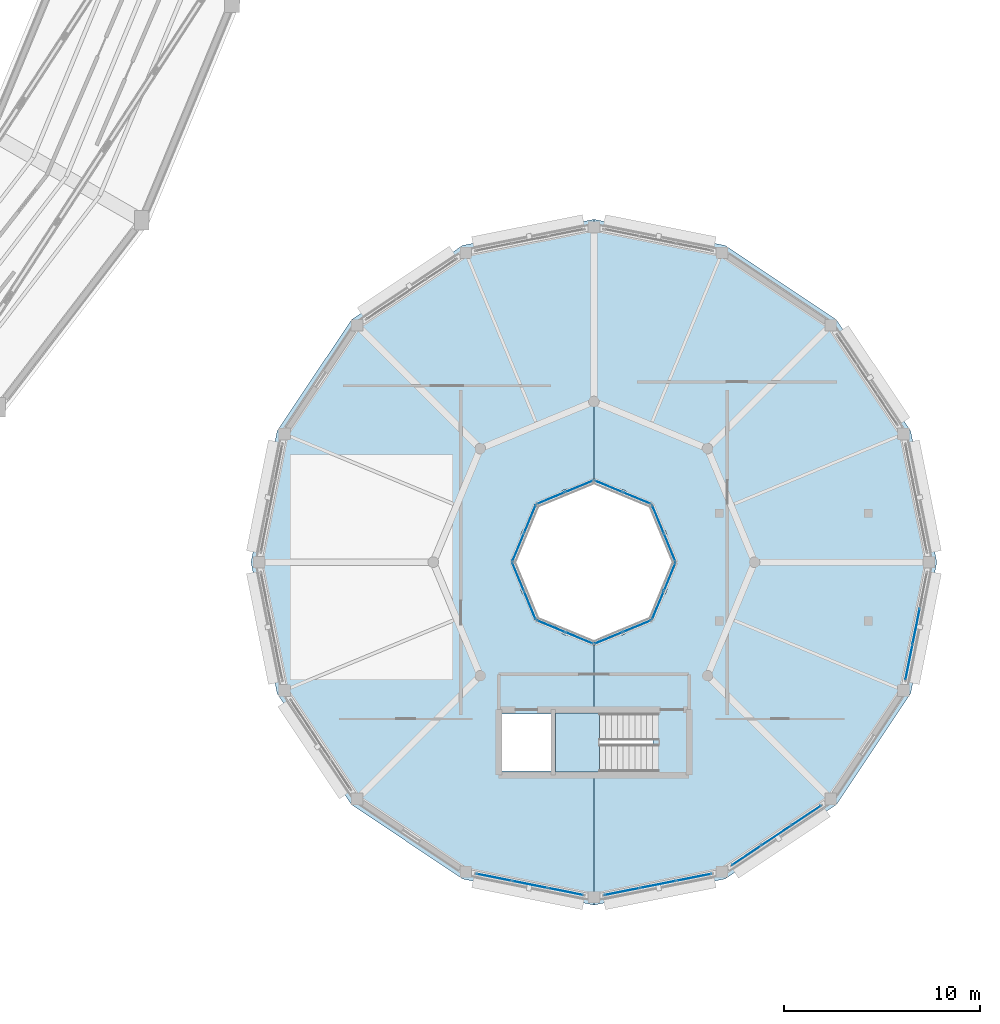
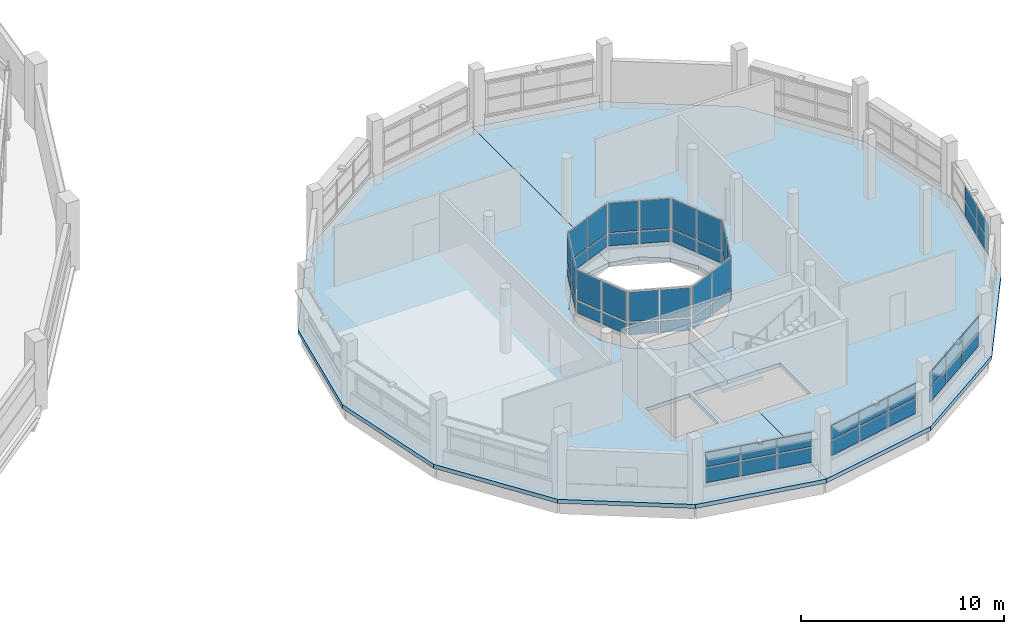
# One storey, part 94 of 121: 54 plates, 3 slabs, 13 elements without a shape of their own.
"""IFC4 building model written with IfcOpenShell, lengths in metres."""

from ifc_helpers import new_model, si_unit, direction, frame, origin, origin_2d, place, context, subcontext, project, spatial, polyline, rectangle, outline, extrude, material, layer, layer_set, type_object, element, aggregate, save


model = new_model("IFC4")

# Units and contexts
model_context = context("Model", 3, precision=1e-05, world=origin(), true_north=direction((0.0, 1.0)))
body_context = subcontext(model_context, "Body", "Model", "MODEL_VIEW")
ifc_project = project(units=[si_unit("LENGTHUNIT", "METRE"), si_unit("AREAUNIT", "SQUARE_METRE"), si_unit("VOLUMEUNIT", "CUBIC_METRE"), si_unit("PLANEANGLEUNIT", "RADIAN"), si_unit("MASSUNIT", "GRAM", prefix="KILO")], contexts=[model_context])

# Site, building, storey
site_placement = place(None, origin())
site = spatial("IfcSite", under=ifc_project, at=site_placement, CompositionType="ELEMENT")
building_placement = place(site_placement, origin())
building = spatial("IfcBuilding", under=site, at=building_placement, Name="Vespera Passage Community Centre", CompositionType="ELEMENT")
storey_placement = place(building_placement, frame((0.0, 0.0, 8.699951171875)))
storey = spatial("IfcBuildingStorey", under=building, at=storey_placement, Name="L02", CompositionType="ELEMENT", Elevation=8.699951171875)

# Curtain wall, plates
ifc_material_1 = material(Name="Anodized aluminium 6063-T6", Category="aluminium")
ifc_layer_1 = layer(ifc_material_1, 0.159912109375)
ifc_layer_set_1 = layer_set([ifc_layer_1], Name="Anodized aluminium 6063-T6")
curtain_wall_type_1 = type_object("IfcCurtainWallType", Name="CW-108E", PredefinedType="NOTDEFINED", material=ifc_layer_set_1)
curtain_wall_1_placement = place(storey_placement, origin())
curtain_wall_1 = element("IfcCurtainWall", 1, at=curtain_wall_1_placement, inside=storey, type_object=curtain_wall_type_1, Name="Dining Drum Ribbon Curtain Wall L02.12", PredefinedType="NOTDEFINED")
ifc_material_2 = material(Name="Low-E insulated vision glass", Category="glass")
ifc_layer_2 = layer(ifc_material_2, 0.02001953125)
ifc_layer_set_2 = layer_set([ifc_layer_2], Name="Low-E insulated vision glass")
plate_type = type_object("IfcPlateType", Name="PL-CWP-20E", PredefinedType="CURTAIN_PANEL", material=ifc_layer_set_2)
plate_1_placement = place(storey_placement, frame((139.5625, 8.18603515625, 0.900146484375), z_axis=(0.0, 0.0, 1.0), x_axis=(-0.980783996069, 0.195096778691, 0.0)))
plate_1 = element("IfcPlate", 2, at=plate_1_placement, type_object=plate_type, Name="CW-108E panel 1.1", PredefinedType="CURTAIN_PANEL", context=body_context, shape_type="SweptSolid", body=[
    extrude(rectangle(XDim=1.789306640625, YDim=0.02001953125, at=origin_2d()), origin(), (0.0, 0.0, 1.0), 0.857421875),
])
plate_2_placement = place(storey_placement, frame((139.5625, 8.18603515625, 1.857666015625), z_axis=(0.0, 0.0, 1.0), x_axis=(-0.980783996069, 0.195096778691, 0.0)))
plate_2 = element("IfcPlate", 3, at=plate_2_placement, type_object=plate_type, Name="CW-108E panel 1.2", PredefinedType="CURTAIN_PANEL", context=body_context, shape_type="SweptSolid", body=[
    extrude(rectangle(XDim=1.789306640625, YDim=0.02001953125, at=origin_2d()), origin(), (0.0, 0.0, 1.0), 0.857421875),
])
plate_3_placement = place(storey_placement, frame((137.72802734375, 8.55078125, 0.900146484375), z_axis=(0.0, 0.0, 1.0), x_axis=(-0.980783996069, 0.195096778691, 0.0)))
plate_3 = element("IfcPlate", 4, at=plate_3_placement, type_object=plate_type, Name="CW-108E panel 2.1", PredefinedType="CURTAIN_PANEL", context=body_context, shape_type="SweptSolid", body=[
    extrude(rectangle(XDim=1.82177734375, YDim=0.02001953125, at=origin_2d()), origin(), (0.0, 0.0, 1.0), 0.857421875),
])
plate_4_placement = place(storey_placement, frame((137.72802734375, 8.55078125, 1.857666015625), z_axis=(0.0, 0.0, 1.0), x_axis=(-0.980783996069, 0.195096778691, 0.0)))
plate_4 = element("IfcPlate", 5, at=plate_4_placement, type_object=plate_type, Name="CW-108E panel 2.2", PredefinedType="CURTAIN_PANEL", context=body_context, shape_type="SweptSolid", body=[
    extrude(rectangle(XDim=1.82177734375, YDim=0.02001953125, at=origin_2d()), origin(), (0.0, 0.0, 1.0), 0.857421875),
])
plate_5_placement = place(storey_placement, frame((135.8935546875, 8.915771484375, 0.900146484375), z_axis=(0.0, 0.0, 1.0), x_axis=(-0.980783996069, 0.195096778691, 0.0)))
plate_5 = element("IfcPlate", 6, at=plate_5_placement, type_object=plate_type, Name="CW-108E panel 3.1", PredefinedType="CURTAIN_PANEL", context=body_context, shape_type="SweptSolid", body=[
    extrude(rectangle(XDim=1.789306640625, YDim=0.02001953125, at=origin_2d()), origin(), (0.0, 0.0, 1.0), 0.857421875),
])
plate_6_placement = place(storey_placement, frame((135.8935546875, 8.915771484375, 1.857666015625), z_axis=(0.0, 0.0, 1.0), x_axis=(-0.980783996069, 0.195096778691, 0.0)))
plate_6 = element("IfcPlate", 7, at=plate_6_placement, type_object=plate_type, Name="CW-108E panel 3.2", PredefinedType="CURTAIN_PANEL", context=body_context, shape_type="SweptSolid", body=[
    extrude(rectangle(XDim=1.789306640625, YDim=0.02001953125, at=origin_2d()), origin(), (0.0, 0.0, 1.0), 0.857421875),
])
aggregate(curtain_wall_1, [plate_1, plate_2, plate_3, plate_4, plate_5, plate_6])

curtain_wall_2_placement = place(storey_placement, origin())
curtain_wall_2 = element("IfcCurtainWall", 8, at=curtain_wall_2_placement, inside=storey, type_object=curtain_wall_type_1, Name="Dining Drum Ribbon Curtain Wall L02.13", PredefinedType="NOTDEFINED")
plate_7_placement = place(storey_placement, frame((146.1064453125, 8.915771484375, 0.900146484375), z_axis=(0.0, 0.0, 1.0), x_axis=(-0.980783996069, -0.195096778691, 0.0)))
plate_7 = element("IfcPlate", 9, at=plate_7_placement, type_object=plate_type, Name="CW-108E panel 1.1", PredefinedType="CURTAIN_PANEL", context=body_context, shape_type="SweptSolid", body=[
    extrude(rectangle(XDim=1.789306640625, YDim=0.02001953125, at=origin_2d()), origin(), (0.0, 0.0, 1.0), 0.857421875),
])
plate_8_placement = place(storey_placement, frame((146.1064453125, 8.915771484375, 1.857666015625), z_axis=(0.0, 0.0, 1.0), x_axis=(-0.980783996069, -0.195096778691, 0.0)))
plate_8 = element("IfcPlate", 10, at=plate_8_placement, type_object=plate_type, Name="CW-108E panel 1.2", PredefinedType="CURTAIN_PANEL", context=body_context, shape_type="SweptSolid", body=[
    extrude(rectangle(XDim=1.789306640625, YDim=0.02001953125, at=origin_2d()), origin(), (0.0, 0.0, 1.0), 0.857421875),
])
plate_9_placement = place(storey_placement, frame((144.27197265625, 8.55078125, 0.900146484375), z_axis=(0.0, 0.0, 1.0), x_axis=(-0.980783996069, -0.195096778691, 0.0)))
plate_9 = element("IfcPlate", 11, at=plate_9_placement, type_object=plate_type, Name="CW-108E panel 2.1", PredefinedType="CURTAIN_PANEL", context=body_context, shape_type="SweptSolid", body=[
    extrude(rectangle(XDim=1.82177734375, YDim=0.02001953125, at=origin_2d()), origin(), (0.0, 0.0, 1.0), 0.857421875),
])
plate_10_placement = place(storey_placement, frame((144.27197265625, 8.55078125, 1.857666015625), z_axis=(0.0, 0.0, 1.0), x_axis=(-0.980783996069, -0.195096778691, 0.0)))
plate_10 = element("IfcPlate", 12, at=plate_10_placement, type_object=plate_type, Name="CW-108E panel 2.2", PredefinedType="CURTAIN_PANEL", context=body_context, shape_type="SweptSolid", body=[
    extrude(rectangle(XDim=1.82177734375, YDim=0.02001953125, at=origin_2d()), origin(), (0.0, 0.0, 1.0), 0.857421875),
])
plate_11_placement = place(storey_placement, frame((142.4375, 8.18603515625, 0.900146484375), z_axis=(0.0, 0.0, 1.0), x_axis=(-0.980783996069, -0.195096778691, 0.0)))
plate_11 = element("IfcPlate", 13, at=plate_11_placement, type_object=plate_type, Name="CW-108E panel 3.1", PredefinedType="CURTAIN_PANEL", context=body_context, shape_type="SweptSolid", body=[
    extrude(rectangle(XDim=1.789306640625, YDim=0.02001953125, at=origin_2d()), origin(), (0.0, 0.0, 1.0), 0.857421875),
])
plate_12_placement = place(storey_placement, frame((142.4375, 8.18603515625, 1.857666015625), z_axis=(0.0, 0.0, 1.0), x_axis=(-0.980783996069, -0.195096778691, 0.0)))
plate_12 = element("IfcPlate", 14, at=plate_12_placement, type_object=plate_type, Name="CW-108E panel 3.2", PredefinedType="CURTAIN_PANEL", context=body_context, shape_type="SweptSolid", body=[
    extrude(rectangle(XDim=1.789306640625, YDim=0.02001953125, at=origin_2d()), origin(), (0.0, 0.0, 1.0), 0.857421875),
])
aggregate(curtain_wall_2, [plate_7, plate_8, plate_9, plate_10, plate_11, plate_12])

ifc_material_3 = material(Name="Anodized aluminium 6063-T6", Category="aluminium")
ifc_layer_3 = layer(ifc_material_3, 0.159912109375)
ifc_layer_set_3 = layer_set([ifc_layer_3], Name="Anodized aluminium 6063-T6")
curtain_wall_type_2 = type_object("IfcCurtainWallType", Name="CW-109E", PredefinedType="NOTDEFINED", material=ifc_layer_set_3)
curtain_wall_3_placement = place(storey_placement, origin())
curtain_wall_3 = element("IfcCurtainWall", 15, at=curtain_wall_3_placement, inside=storey, type_object=curtain_wall_type_2, Name="Dining Drum Ribbon Curtain Wall L02.14", PredefinedType="NOTDEFINED")
plate_13_placement = place(storey_placement, frame((151.842529296875, 12.073974609375, 0.900146484375), z_axis=(0.0, 0.0, 1.0), x_axis=(-0.831473308708, -0.555564700918, 0.0)))
plate_13 = element("IfcPlate", 16, at=plate_13_placement, type_object=plate_type, Name="CW-109E panel 1.1", PredefinedType="CURTAIN_PANEL", context=body_context, shape_type="SweptSolid", body=[
    extrude(rectangle(XDim=1.752685546875, YDim=0.02001953125, at=origin_2d()), origin(), (0.0, 0.0, 1.0), 0.857421875),
])
plate_14_placement = place(storey_placement, frame((151.842529296875, 12.073974609375, 1.857666015625), z_axis=(0.0, 0.0, 1.0), x_axis=(-0.831473308708, -0.555564700918, 0.0)))
plate_14 = element("IfcPlate", 17, at=plate_14_placement, type_object=plate_type, Name="CW-109E panel 1.2", PredefinedType="CURTAIN_PANEL", context=body_context, shape_type="SweptSolid", body=[
    extrude(rectangle(XDim=1.752685546875, YDim=0.02001953125, at=origin_2d()), origin(), (0.0, 0.0, 1.0), 0.857421875),
])
plate_15_placement = place(storey_placement, frame((150.317626953125, 11.05517578125, 0.900146484375), z_axis=(0.0, 0.0, 1.0), x_axis=(-0.831473308708, -0.555564700918, 0.0)))
plate_15 = element("IfcPlate", 18, at=plate_15_placement, type_object=plate_type, Name="CW-109E panel 2.1", PredefinedType="CURTAIN_PANEL", context=body_context, shape_type="SweptSolid", body=[
    extrude(rectangle(XDim=1.78515625, YDim=0.02001953125, at=origin_2d()), origin(), (0.0, 0.0, 1.0), 0.857421875),
])
plate_16_placement = place(storey_placement, frame((150.317626953125, 11.05517578125, 1.857666015625), z_axis=(0.0, 0.0, 1.0), x_axis=(-0.831473308708, -0.555564700918, 0.0)))
plate_16 = element("IfcPlate", 19, at=plate_16_placement, type_object=plate_type, Name="CW-109E panel 2.2", PredefinedType="CURTAIN_PANEL", context=body_context, shape_type="SweptSolid", body=[
    extrude(rectangle(XDim=1.78515625, YDim=0.02001953125, at=origin_2d()), origin(), (0.0, 0.0, 1.0), 0.857421875),
])
plate_17_placement = place(storey_placement, frame((148.79296875, 10.036376953125, 0.900146484375), z_axis=(0.0, 0.0, 1.0), x_axis=(-0.831473308708, -0.555564700918, 0.0)))
plate_17 = element("IfcPlate", 20, at=plate_17_placement, type_object=plate_type, Name="CW-109E panel 3.1", PredefinedType="CURTAIN_PANEL", context=body_context, shape_type="SweptSolid", body=[
    extrude(rectangle(XDim=1.752685546875, YDim=0.02001953125, at=origin_2d()), origin(), (0.0, 0.0, 1.0), 0.857421875),
])
plate_18_placement = place(storey_placement, frame((148.79296875, 10.036376953125, 1.857666015625), z_axis=(0.0, 0.0, 1.0), x_axis=(-0.831473308708, -0.555564700918, 0.0)))
plate_18 = element("IfcPlate", 21, at=plate_18_placement, type_object=plate_type, Name="CW-109E panel 3.2", PredefinedType="CURTAIN_PANEL", context=body_context, shape_type="SweptSolid", body=[
    extrude(rectangle(XDim=1.752685546875, YDim=0.02001953125, at=origin_2d()), origin(), (0.0, 0.0, 1.0), 0.857421875),
])
aggregate(curtain_wall_3, [plate_13, plate_14, plate_15, plate_16, plate_17, plate_18])

curtain_wall_4_placement = place(storey_placement, origin())
curtain_wall_4 = element("IfcCurtainWall", 22, at=curtain_wall_4_placement, inside=storey, type_object=curtain_wall_type_1, Name="Dining Drum Ribbon Curtain Wall L02.16", PredefinedType="NOTDEFINED")
plate_19_placement = place(storey_placement, frame((157.44921875, 21.72802734375, 0.900146484375), z_axis=(0.0, 0.0, 1.0), x_axis=(-0.195096778691, -0.980783996069, 0.0)))
plate_19 = element("IfcPlate", 23, at=plate_19_placement, type_object=plate_type, Name="CW-108E panel 2.1", PredefinedType="CURTAIN_PANEL", context=body_context, shape_type="SweptSolid", body=[
    extrude(rectangle(XDim=1.82177734375, YDim=0.02001953125, at=origin_2d()), origin(), (0.0, 0.0, 1.0), 0.857421875),
])
plate_20_placement = place(storey_placement, frame((157.44921875, 21.72802734375, 1.857666015625), z_axis=(0.0, 0.0, 1.0), x_axis=(-0.195096778691, -0.980783996069, 0.0)))
plate_20 = element("IfcPlate", 24, at=plate_20_placement, type_object=plate_type, Name="CW-108E panel 2.2", PredefinedType="CURTAIN_PANEL", context=body_context, shape_type="SweptSolid", body=[
    extrude(rectangle(XDim=1.82177734375, YDim=0.02001953125, at=origin_2d()), origin(), (0.0, 0.0, 1.0), 0.857421875),
])
plate_21_placement = place(storey_placement, frame((157.084228515625, 19.8935546875, 0.900146484375), z_axis=(0.0, 0.0, 1.0), x_axis=(-0.195096778691, -0.980783996069, 0.0)))
plate_21 = element("IfcPlate", 25, at=plate_21_placement, type_object=plate_type, Name="CW-108E panel 3.1", PredefinedType="CURTAIN_PANEL", context=body_context, shape_type="SweptSolid", body=[
    extrude(rectangle(XDim=1.789306640625, YDim=0.02001953125, at=origin_2d()), origin(), (0.0, 0.0, 1.0), 0.857421875),
])
plate_22_placement = place(storey_placement, frame((157.084228515625, 19.8935546875, 1.857666015625), z_axis=(0.0, 0.0, 1.0), x_axis=(-0.195096778691, -0.980783996069, 0.0)))
plate_22 = element("IfcPlate", 26, at=plate_22_placement, type_object=plate_type, Name="CW-108E panel 3.2", PredefinedType="CURTAIN_PANEL", context=body_context, shape_type="SweptSolid", body=[
    extrude(rectangle(XDim=1.789306640625, YDim=0.02001953125, at=origin_2d()), origin(), (0.0, 0.0, 1.0), 0.857421875),
])
aggregate(curtain_wall_4, [plate_19, plate_20, plate_21, plate_22])

ifc_material_4 = material(Name="Anodized aluminium 6063-T6", Category="aluminium")
ifc_layer_4 = layer(ifc_material_4, 0.159912109375)
ifc_layer_set_4 = layer_set([ifc_layer_4], Name="Anodized aluminium 6063-T6")
curtain_wall_type_3 = type_object("IfcCurtainWallType", Name="CW-110E", PredefinedType="NOTDEFINED", material=ifc_layer_set_4)
curtain_wall_5_placement = place(storey_placement, origin())
curtain_wall_5 = element("IfcCurtainWall", 27, at=curtain_wall_5_placement, inside=storey, type_object=curtain_wall_type_3, Name="V3 L02 Inner Court Ribbon Curtain Wall 1", PredefinedType="NOTDEFINED")
plate_23_placement = place(storey_placement, frame((144.86767578125, 25.75390625, 0.89990234375), z_axis=(0.0, 0.0, 1.0), x_axis=(-0.382685826549, 0.923878540804, 0.0)))
plate_23 = element("IfcPlate", 28, at=plate_23_placement, type_object=plate_type, Name="CW-110E panel 1.1", PredefinedType="CURTAIN_PANEL", context=body_context, shape_type="SweptSolid", body=[
    extrude(rectangle(XDim=1.502197265625, YDim=0.02001953125, at=origin_2d()), origin(), (0.0, 0.0, 1.0), 0.699951171875),
])
plate_24_placement = place(storey_placement, frame((144.86767578125, 25.75390625, 1.7001953125), z_axis=(0.0, 0.0, 1.0), x_axis=(-0.382685826549, 0.923878540804, 0.0)))
plate_24 = element("IfcPlate", 29, at=plate_24_placement, type_object=plate_type, Name="CW-110E panel 1.2", PredefinedType="CURTAIN_PANEL", context=body_context, shape_type="SweptSolid", body=[
    extrude(rectangle(XDim=1.502197265625, YDim=0.02001953125, at=origin_2d()), origin(), (0.0, 0.0, 1.0), 1.780029296875),
])
plate_25_placement = place(storey_placement, frame((144.26806640625, 27.20166015625, 0.89990234375), z_axis=(0.0, 0.0, 1.0), x_axis=(-0.382685826549, 0.923878540804, 0.0)))
plate_25 = element("IfcPlate", 30, at=plate_25_placement, type_object=plate_type, Name="CW-110E panel 2.1", PredefinedType="CURTAIN_PANEL", context=body_context, shape_type="SweptSolid", body=[
    extrude(rectangle(XDim=1.502197265625, YDim=0.02001953125, at=origin_2d()), origin(), (0.0, 0.0, 1.0), 0.699951171875),
])
plate_26_placement = place(storey_placement, frame((144.26806640625, 27.20166015625, 1.7001953125), z_axis=(0.0, 0.0, 1.0), x_axis=(-0.382685826549, 0.923878540804, 0.0)))
plate_26 = element("IfcPlate", 31, at=plate_26_placement, type_object=plate_type, Name="CW-110E panel 2.2", PredefinedType="CURTAIN_PANEL", context=body_context, shape_type="SweptSolid", body=[
    extrude(rectangle(XDim=1.502197265625, YDim=0.02001953125, at=origin_2d()), origin(), (0.0, 0.0, 1.0), 1.780029296875),
])
aggregate(curtain_wall_5, [plate_23, plate_24, plate_25, plate_26])

curtain_wall_6_placement = place(storey_placement, origin())
curtain_wall_6 = element("IfcCurtainWall", 32, at=curtain_wall_6_placement, inside=storey, type_object=curtain_wall_type_3, Name="V3 L02 Inner Court Ribbon Curtain Wall 2", PredefinedType="NOTDEFINED")
plate_27_placement = place(storey_placement, frame((143.20166015625, 28.26806640625, 0.89990234375), z_axis=(0.0, 0.0, 1.0), x_axis=(-0.923878540804, 0.382685826549, 0.0)))
plate_27 = element("IfcPlate", 33, at=plate_27_placement, type_object=plate_type, Name="CW-110E panel 1.1", PredefinedType="CURTAIN_PANEL", context=body_context, shape_type="SweptSolid", body=[
    extrude(rectangle(XDim=1.502197265625, YDim=0.02001953125, at=origin_2d()), origin(), (0.0, 0.0, 1.0), 0.699951171875),
])
plate_28_placement = place(storey_placement, frame((143.20166015625, 28.26806640625, 1.7001953125), z_axis=(0.0, 0.0, 1.0), x_axis=(-0.923878540804, 0.382685826549, 0.0)))
plate_28 = element("IfcPlate", 34, at=plate_28_placement, type_object=plate_type, Name="CW-110E panel 1.2", PredefinedType="CURTAIN_PANEL", context=body_context, shape_type="SweptSolid", body=[
    extrude(rectangle(XDim=1.502197265625, YDim=0.02001953125, at=origin_2d()), origin(), (0.0, 0.0, 1.0), 1.780029296875),
])
plate_29_placement = place(storey_placement, frame((141.75390625, 28.86767578125, 0.89990234375), z_axis=(0.0, 0.0, 1.0), x_axis=(-0.923878540804, 0.382685826549, 0.0)))
plate_29 = element("IfcPlate", 35, at=plate_29_placement, type_object=plate_type, Name="CW-110E panel 2.1", PredefinedType="CURTAIN_PANEL", context=body_context, shape_type="SweptSolid", body=[
    extrude(rectangle(XDim=1.502197265625, YDim=0.02001953125, at=origin_2d()), origin(), (0.0, 0.0, 1.0), 0.699951171875),
])
plate_30_placement = place(storey_placement, frame((141.75390625, 28.86767578125, 1.7001953125), z_axis=(0.0, 0.0, 1.0), x_axis=(-0.923878540804, 0.382685826549, 0.0)))
plate_30 = element("IfcPlate", 36, at=plate_30_placement, type_object=plate_type, Name="CW-110E panel 2.2", PredefinedType="CURTAIN_PANEL", context=body_context, shape_type="SweptSolid", body=[
    extrude(rectangle(XDim=1.502197265625, YDim=0.02001953125, at=origin_2d()), origin(), (0.0, 0.0, 1.0), 1.780029296875),
])
aggregate(curtain_wall_6, [plate_27, plate_28, plate_29, plate_30])

curtain_wall_7_placement = place(storey_placement, origin())
curtain_wall_7 = element("IfcCurtainWall", 37, at=curtain_wall_7_placement, inside=storey, type_object=curtain_wall_type_3, Name="V3 L02 Inner Court Ribbon Curtain Wall 3", PredefinedType="NOTDEFINED")
plate_31_placement = place(storey_placement, frame((140.24609375, 28.86767578125, 0.89990234375), z_axis=(0.0, 0.0, 1.0), x_axis=(-0.923878540804, -0.382685826549, 0.0)))
plate_31 = element("IfcPlate", 38, at=plate_31_placement, type_object=plate_type, Name="CW-110E panel 1.1", PredefinedType="CURTAIN_PANEL", context=body_context, shape_type="SweptSolid", body=[
    extrude(rectangle(XDim=1.502197265625, YDim=0.02001953125, at=origin_2d()), origin(), (0.0, 0.0, 1.0), 0.699951171875),
])
plate_32_placement = place(storey_placement, frame((140.24609375, 28.86767578125, 1.7001953125), z_axis=(0.0, 0.0, 1.0), x_axis=(-0.923878540804, -0.382685826549, 0.0)))
plate_32 = element("IfcPlate", 39, at=plate_32_placement, type_object=plate_type, Name="CW-110E panel 1.2", PredefinedType="CURTAIN_PANEL", context=body_context, shape_type="SweptSolid", body=[
    extrude(rectangle(XDim=1.502197265625, YDim=0.02001953125, at=origin_2d()), origin(), (0.0, 0.0, 1.0), 1.780029296875),
])
plate_33_placement = place(storey_placement, frame((138.79833984375, 28.26806640625, 0.89990234375), z_axis=(0.0, 0.0, 1.0), x_axis=(-0.923878540804, -0.382685826549, 0.0)))
plate_33 = element("IfcPlate", 40, at=plate_33_placement, type_object=plate_type, Name="CW-110E panel 2.1", PredefinedType="CURTAIN_PANEL", context=body_context, shape_type="SweptSolid", body=[
    extrude(rectangle(XDim=1.502197265625, YDim=0.02001953125, at=origin_2d()), origin(), (0.0, 0.0, 1.0), 0.699951171875),
])
plate_34_placement = place(storey_placement, frame((138.79833984375, 28.26806640625, 1.7001953125), z_axis=(0.0, 0.0, 1.0), x_axis=(-0.923878540804, -0.382685826549, 0.0)))
plate_34 = element("IfcPlate", 41, at=plate_34_placement, type_object=plate_type, Name="CW-110E panel 2.2", PredefinedType="CURTAIN_PANEL", context=body_context, shape_type="SweptSolid", body=[
    extrude(rectangle(XDim=1.502197265625, YDim=0.02001953125, at=origin_2d()), origin(), (0.0, 0.0, 1.0), 1.780029296875),
])
aggregate(curtain_wall_7, [plate_31, plate_32, plate_33, plate_34])

curtain_wall_8_placement = place(storey_placement, origin())
curtain_wall_8 = element("IfcCurtainWall", 42, at=curtain_wall_8_placement, inside=storey, type_object=curtain_wall_type_3, Name="V3 L02 Inner Court Ribbon Curtain Wall 4", PredefinedType="NOTDEFINED")
plate_35_placement = place(storey_placement, frame((137.73193359375, 27.20166015625, 0.89990234375), z_axis=(0.0, 0.0, 1.0), x_axis=(-0.382685826549, -0.923878540804, 0.0)))
plate_35 = element("IfcPlate", 43, at=plate_35_placement, type_object=plate_type, Name="CW-110E panel 1.1", PredefinedType="CURTAIN_PANEL", context=body_context, shape_type="SweptSolid", body=[
    extrude(rectangle(XDim=1.502197265625, YDim=0.02001953125, at=origin_2d()), origin(), (0.0, 0.0, 1.0), 0.699951171875),
])
plate_36_placement = place(storey_placement, frame((137.73193359375, 27.20166015625, 1.7001953125), z_axis=(0.0, 0.0, 1.0), x_axis=(-0.382685826549, -0.923878540804, 0.0)))
plate_36 = element("IfcPlate", 44, at=plate_36_placement, type_object=plate_type, Name="CW-110E panel 1.2", PredefinedType="CURTAIN_PANEL", context=body_context, shape_type="SweptSolid", body=[
    extrude(rectangle(XDim=1.502197265625, YDim=0.02001953125, at=origin_2d()), origin(), (0.0, 0.0, 1.0), 1.780029296875),
])
plate_37_placement = place(storey_placement, frame((137.13232421875, 25.75390625, 0.89990234375), z_axis=(0.0, 0.0, 1.0), x_axis=(-0.382685826549, -0.923878540804, 0.0)))
plate_37 = element("IfcPlate", 45, at=plate_37_placement, type_object=plate_type, Name="CW-110E panel 2.1", PredefinedType="CURTAIN_PANEL", context=body_context, shape_type="SweptSolid", body=[
    extrude(rectangle(XDim=1.502197265625, YDim=0.02001953125, at=origin_2d()), origin(), (0.0, 0.0, 1.0), 0.699951171875),
])
plate_38_placement = place(storey_placement, frame((137.13232421875, 25.75390625, 1.7001953125), z_axis=(0.0, 0.0, 1.0), x_axis=(-0.382685826549, -0.923878540804, 0.0)))
plate_38 = element("IfcPlate", 46, at=plate_38_placement, type_object=plate_type, Name="CW-110E panel 2.2", PredefinedType="CURTAIN_PANEL", context=body_context, shape_type="SweptSolid", body=[
    extrude(rectangle(XDim=1.502197265625, YDim=0.02001953125, at=origin_2d()), origin(), (0.0, 0.0, 1.0), 1.780029296875),
])
aggregate(curtain_wall_8, [plate_35, plate_36, plate_37, plate_38])

curtain_wall_9_placement = place(storey_placement, origin())
curtain_wall_9 = element("IfcCurtainWall", 47, at=curtain_wall_9_placement, inside=storey, type_object=curtain_wall_type_3, Name="V3 L02 Inner Court Ribbon Curtain Wall 5", PredefinedType="NOTDEFINED")
plate_39_placement = place(storey_placement, frame((137.13232421875, 24.24609375, 0.89990234375), z_axis=(0.0, 0.0, 1.0), x_axis=(0.382685826549, -0.923878540804, 0.0)))
plate_39 = element("IfcPlate", 48, at=plate_39_placement, type_object=plate_type, Name="CW-110E panel 1.1", PredefinedType="CURTAIN_PANEL", context=body_context, shape_type="SweptSolid", body=[
    extrude(rectangle(XDim=1.502197265625, YDim=0.02001953125, at=origin_2d()), origin(), (0.0, 0.0, 1.0), 0.699951171875),
])
plate_40_placement = place(storey_placement, frame((137.13232421875, 24.24609375, 1.7001953125), z_axis=(0.0, 0.0, 1.0), x_axis=(0.382685826549, -0.923878540804, 0.0)))
plate_40 = element("IfcPlate", 49, at=plate_40_placement, type_object=plate_type, Name="CW-110E panel 1.2", PredefinedType="CURTAIN_PANEL", context=body_context, shape_type="SweptSolid", body=[
    extrude(rectangle(XDim=1.502197265625, YDim=0.02001953125, at=origin_2d()), origin(), (0.0, 0.0, 1.0), 1.780029296875),
])
plate_41_placement = place(storey_placement, frame((137.73193359375, 22.79833984375, 0.89990234375), z_axis=(0.0, 0.0, 1.0), x_axis=(0.382685826549, -0.923878540804, 0.0)))
plate_41 = element("IfcPlate", 50, at=plate_41_placement, type_object=plate_type, Name="CW-110E panel 2.1", PredefinedType="CURTAIN_PANEL", context=body_context, shape_type="SweptSolid", body=[
    extrude(rectangle(XDim=1.502197265625, YDim=0.02001953125, at=origin_2d()), origin(), (0.0, 0.0, 1.0), 0.699951171875),
])
plate_42_placement = place(storey_placement, frame((137.73193359375, 22.79833984375, 1.7001953125), z_axis=(0.0, 0.0, 1.0), x_axis=(0.382685826549, -0.923878540804, 0.0)))
plate_42 = element("IfcPlate", 51, at=plate_42_placement, type_object=plate_type, Name="CW-110E panel 2.2", PredefinedType="CURTAIN_PANEL", context=body_context, shape_type="SweptSolid", body=[
    extrude(rectangle(XDim=1.502197265625, YDim=0.02001953125, at=origin_2d()), origin(), (0.0, 0.0, 1.0), 1.780029296875),
])
aggregate(curtain_wall_9, [plate_39, plate_40, plate_41, plate_42])

curtain_wall_10_placement = place(storey_placement, origin())
curtain_wall_10 = element("IfcCurtainWall", 52, at=curtain_wall_10_placement, inside=storey, type_object=curtain_wall_type_3, Name="V3 L02 Inner Court Ribbon Curtain Wall 6", PredefinedType="NOTDEFINED")
plate_43_placement = place(storey_placement, frame((138.79833984375, 21.73193359375, 0.89990234375), z_axis=(0.0, 0.0, 1.0), x_axis=(0.923878540804, -0.382685826549, 0.0)))
plate_43 = element("IfcPlate", 53, at=plate_43_placement, type_object=plate_type, Name="CW-110E panel 1.1", PredefinedType="CURTAIN_PANEL", context=body_context, shape_type="SweptSolid", body=[
    extrude(rectangle(XDim=1.502197265625, YDim=0.02001953125, at=origin_2d()), origin(), (0.0, 0.0, 1.0), 0.699951171875),
])
plate_44_placement = place(storey_placement, frame((138.79833984375, 21.73193359375, 1.7001953125), z_axis=(0.0, 0.0, 1.0), x_axis=(0.923878540804, -0.382685826549, 0.0)))
plate_44 = element("IfcPlate", 54, at=plate_44_placement, type_object=plate_type, Name="CW-110E panel 1.2", PredefinedType="CURTAIN_PANEL", context=body_context, shape_type="SweptSolid", body=[
    extrude(rectangle(XDim=1.502197265625, YDim=0.02001953125, at=origin_2d()), origin(), (0.0, 0.0, 1.0), 1.780029296875),
])
plate_45_placement = place(storey_placement, frame((140.24609375, 21.13232421875, 0.89990234375), z_axis=(0.0, 0.0, 1.0), x_axis=(0.923878540804, -0.382685826549, 0.0)))
plate_45 = element("IfcPlate", 55, at=plate_45_placement, type_object=plate_type, Name="CW-110E panel 2.1", PredefinedType="CURTAIN_PANEL", context=body_context, shape_type="SweptSolid", body=[
    extrude(rectangle(XDim=1.502197265625, YDim=0.02001953125, at=origin_2d()), origin(), (0.0, 0.0, 1.0), 0.699951171875),
])
plate_46_placement = place(storey_placement, frame((140.24609375, 21.13232421875, 1.7001953125), z_axis=(0.0, 0.0, 1.0), x_axis=(0.923878540804, -0.382685826549, 0.0)))
plate_46 = element("IfcPlate", 56, at=plate_46_placement, type_object=plate_type, Name="CW-110E panel 2.2", PredefinedType="CURTAIN_PANEL", context=body_context, shape_type="SweptSolid", body=[
    extrude(rectangle(XDim=1.502197265625, YDim=0.02001953125, at=origin_2d()), origin(), (0.0, 0.0, 1.0), 1.780029296875),
])
aggregate(curtain_wall_10, [plate_43, plate_44, plate_45, plate_46])

curtain_wall_11_placement = place(storey_placement, origin())
curtain_wall_11 = element("IfcCurtainWall", 57, at=curtain_wall_11_placement, inside=storey, type_object=curtain_wall_type_3, Name="V3 L02 Inner Court Ribbon Curtain Wall 7", PredefinedType="NOTDEFINED")
plate_47_placement = place(storey_placement, frame((141.75390625, 21.13232421875, 0.89990234375), z_axis=(0.0, 0.0, 1.0), x_axis=(0.923878540804, 0.382685826549, 0.0)))
plate_47 = element("IfcPlate", 58, at=plate_47_placement, type_object=plate_type, Name="CW-110E panel 1.1", PredefinedType="CURTAIN_PANEL", context=body_context, shape_type="SweptSolid", body=[
    extrude(rectangle(XDim=1.502197265625, YDim=0.02001953125, at=origin_2d()), origin(), (0.0, 0.0, 1.0), 0.699951171875),
])
plate_48_placement = place(storey_placement, frame((141.75390625, 21.13232421875, 1.7001953125), z_axis=(0.0, 0.0, 1.0), x_axis=(0.923878540804, 0.382685826549, 0.0)))
plate_48 = element("IfcPlate", 59, at=plate_48_placement, type_object=plate_type, Name="CW-110E panel 1.2", PredefinedType="CURTAIN_PANEL", context=body_context, shape_type="SweptSolid", body=[
    extrude(rectangle(XDim=1.502197265625, YDim=0.02001953125, at=origin_2d()), origin(), (0.0, 0.0, 1.0), 1.780029296875),
])
plate_49_placement = place(storey_placement, frame((143.20166015625, 21.73193359375, 0.89990234375), z_axis=(0.0, 0.0, 1.0), x_axis=(0.923878540804, 0.382685826549, 0.0)))
plate_49 = element("IfcPlate", 60, at=plate_49_placement, type_object=plate_type, Name="CW-110E panel 2.1", PredefinedType="CURTAIN_PANEL", context=body_context, shape_type="SweptSolid", body=[
    extrude(rectangle(XDim=1.502197265625, YDim=0.02001953125, at=origin_2d()), origin(), (0.0, 0.0, 1.0), 0.699951171875),
])
plate_50_placement = place(storey_placement, frame((143.20166015625, 21.73193359375, 1.7001953125), z_axis=(0.0, 0.0, 1.0), x_axis=(0.923878540804, 0.382685826549, 0.0)))
plate_50 = element("IfcPlate", 61, at=plate_50_placement, type_object=plate_type, Name="CW-110E panel 2.2", PredefinedType="CURTAIN_PANEL", context=body_context, shape_type="SweptSolid", body=[
    extrude(rectangle(XDim=1.502197265625, YDim=0.02001953125, at=origin_2d()), origin(), (0.0, 0.0, 1.0), 1.780029296875),
])
aggregate(curtain_wall_11, [plate_47, plate_48, plate_49, plate_50])

curtain_wall_12_placement = place(storey_placement, origin())
curtain_wall_12 = element("IfcCurtainWall", 62, at=curtain_wall_12_placement, inside=storey, type_object=curtain_wall_type_3, Name="V3 L02 Inner Court Ribbon Curtain Wall 8", PredefinedType="NOTDEFINED")
plate_51_placement = place(storey_placement, frame((144.26806640625, 22.79833984375, 0.89990234375), z_axis=(0.0, 0.0, 1.0), x_axis=(0.382685826549, 0.923878540804, 0.0)))
plate_51 = element("IfcPlate", 63, at=plate_51_placement, type_object=plate_type, Name="CW-110E panel 1.1", PredefinedType="CURTAIN_PANEL", context=body_context, shape_type="SweptSolid", body=[
    extrude(rectangle(XDim=1.502197265625, YDim=0.02001953125, at=origin_2d()), origin(), (0.0, 0.0, 1.0), 0.699951171875),
])
plate_52_placement = place(storey_placement, frame((144.26806640625, 22.79833984375, 1.7001953125), z_axis=(0.0, 0.0, 1.0), x_axis=(0.382685826549, 0.923878540804, 0.0)))
plate_52 = element("IfcPlate", 64, at=plate_52_placement, type_object=plate_type, Name="CW-110E panel 1.2", PredefinedType="CURTAIN_PANEL", context=body_context, shape_type="SweptSolid", body=[
    extrude(rectangle(XDim=1.502197265625, YDim=0.02001953125, at=origin_2d()), origin(), (0.0, 0.0, 1.0), 1.780029296875),
])
plate_53_placement = place(storey_placement, frame((144.86767578125, 24.24609375, 0.89990234375), z_axis=(0.0, 0.0, 1.0), x_axis=(0.382685826549, 0.923878540804, 0.0)))
plate_53 = element("IfcPlate", 65, at=plate_53_placement, type_object=plate_type, Name="CW-110E panel 2.1", PredefinedType="CURTAIN_PANEL", context=body_context, shape_type="SweptSolid", body=[
    extrude(rectangle(XDim=1.502197265625, YDim=0.02001953125, at=origin_2d()), origin(), (0.0, 0.0, 1.0), 0.699951171875),
])
plate_54_placement = place(storey_placement, frame((144.86767578125, 24.24609375, 1.7001953125), z_axis=(0.0, 0.0, 1.0), x_axis=(0.382685826549, 0.923878540804, 0.0)))
plate_54 = element("IfcPlate", 66, at=plate_54_placement, type_object=plate_type, Name="CW-110E panel 2.2", PredefinedType="CURTAIN_PANEL", context=body_context, shape_type="SweptSolid", body=[
    extrude(rectangle(XDim=1.502197265625, YDim=0.02001953125, at=origin_2d()), origin(), (0.0, 0.0, 1.0), 1.780029296875),
])
aggregate(curtain_wall_12, [plate_51, plate_52, plate_53, plate_54])

# Stair, slab
ifc_material_5 = material(Name="Concrete f'c 35 MPa", Category="concrete")
stair_type = type_object("IfcStairType", Name="ST-T12", PredefinedType="HALF_TURN_STAIR", material=ifc_material_5)
stair_placement = place(storey_placement, origin())
stair = element("IfcStair", 67, at=stair_placement, inside=storey, type_object=stair_type, Name="L02 Core C7 Exit Stair ST08", PredefinedType="HALF_TURN_STAIR")
ifc_material_6 = material(Name="Concrete f'c 35 MPa", Category="concrete")
ifc_layer_5 = layer(ifc_material_6, 0.199951171875)
ifc_layer_set_5 = layer_set([ifc_layer_5], Name="Concrete f'c 35 MPa")
slab_type_1 = type_object("IfcSlabType", Name="SL-LAND-200I", PredefinedType="LANDING", material=ifc_layer_set_5)
slab_1_placement = place(storey_placement, frame((0.0, 0.0, 1.75)))
slab_1 = element("IfcSlab", 68, at=slab_1_placement, type_object=slab_type_1, Name="ST08 landing 1", PredefinedType="LANDING", context=body_context, shape_type="SweptSolid", body=[
    extrude(outline(polyline([(141.294921875, 17.300048828125), (139.044921875, 17.300048828125), (139.044921875, 14.300048828125), (141.294921875, 14.300048828125), (141.294921875, 17.300048828125)])), origin(), (0.0, 0.0, 1.0), 0.199951171875),
])
aggregate(stair, [slab_1])

# Slabs
ifc_material_7 = material(Name="Concrete f'c 35 MPa", Category="concrete")
ifc_layer_6 = layer(ifc_material_7, 0.239990234375)
ifc_layer_set_6 = layer_set([ifc_layer_6], Name="Concrete f'c 35 MPa")
slab_type_2 = type_object("IfcSlabType", Name="SL-TYP-240", PredefinedType="FLOOR", material=ifc_layer_set_6)
slab_2_placement = place(storey_placement, frame((0.0, 0.0, -0.239990234375)))
element("IfcSlab", 69, at=slab_2_placement, inside=storey, type_object=slab_type_2, Name="V3 L02 W Sector Slab", PredefinedType="FLOOR", context=body_context, shape_type="SweptSolid", body=[
    extrude(outline(polyline([(124.83203125, 18.302978515625), (123.5, 25.0), (124.83203125, 31.697021484375), (128.62548828125, 37.37451171875), (134.302978515625, 41.16796875), (141.0, 42.5), (141.0, 29.0), (139.46923828125, 28.695556640625), (138.171630859375, 27.828369140625), (137.304443359375, 26.53076171875), (137.0, 25.0), (137.304443359375, 23.46923828125), (138.171630859375, 22.171630859375), (139.46923828125, 21.304443359375), (141.0, 21.0), (141.0, 17.300048828125), (139.044921875, 17.300048828125), (139.044921875, 14.300048828125), (141.0, 14.300048828125), (141.0, 7.5), (134.302978515625, 8.83203125), (128.62548828125, 12.62548828125), (124.83203125, 18.302978515625)]), holes=[polyline([(136.304931640625, 17.25), (136.304931640625, 14.35009765625), (138.804931640625, 14.35009765625), (138.804931640625, 17.25), (136.304931640625, 17.25)])]), origin(), (0.0, 0.0, 1.0), 0.239990234375),
])
slab_3_placement = place(storey_placement, frame((0.0, 0.0, -0.239990234375)))
element("IfcSlab", 70, at=slab_3_placement, inside=storey, type_object=slab_type_2, Name="V3 L02 E Sector Slab", PredefinedType="FLOOR", context=body_context, shape_type="SweptSolid", body=[
    extrude(outline(polyline([(147.697021484375, 8.83203125), (141.0, 7.5), (141.0, 14.300048828125), (144.014892578125, 14.300048828125), (144.014892578125, 17.300048828125), (141.0, 17.300048828125), (141.0, 21.0), (142.53076171875, 21.304443359375), (143.828369140625, 22.171630859375), (144.695556640625, 23.46923828125), (145.0, 25.0), (144.695556640625, 26.53076171875), (143.828369140625, 27.828369140625), (142.53076171875, 28.695556640625), (141.0, 29.0), (141.0, 42.5), (147.697021484375, 41.16796875), (153.37451171875, 37.37451171875), (157.16796875, 31.697021484375), (158.5, 25.0), (157.16796875, 18.302978515625), (153.37451171875, 12.62548828125), (147.697021484375, 8.83203125)])), origin(), (0.0, 0.0, 1.0), 0.239990234375),
])

save(model, "model.ifc")
